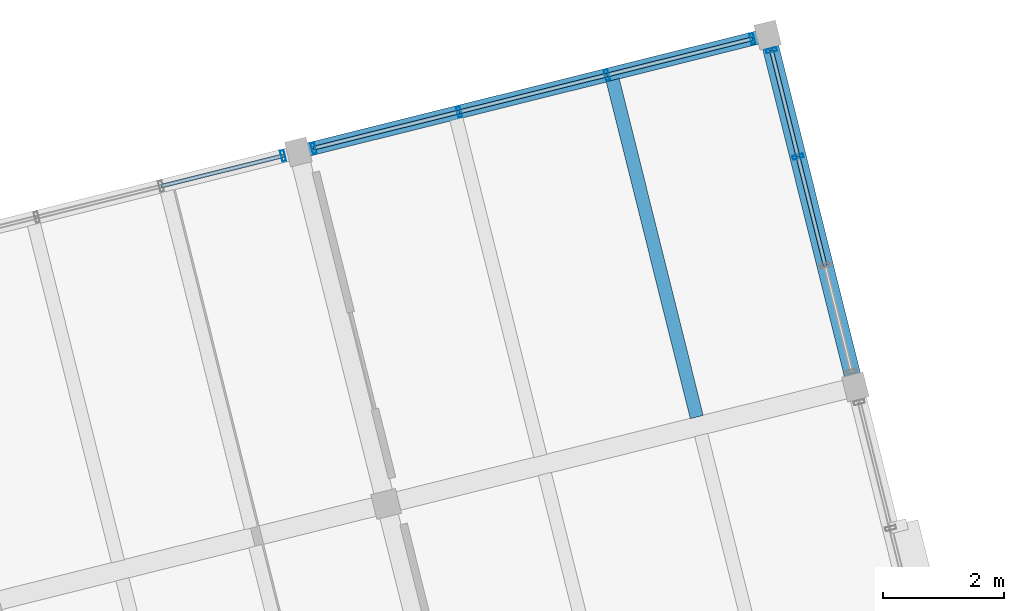
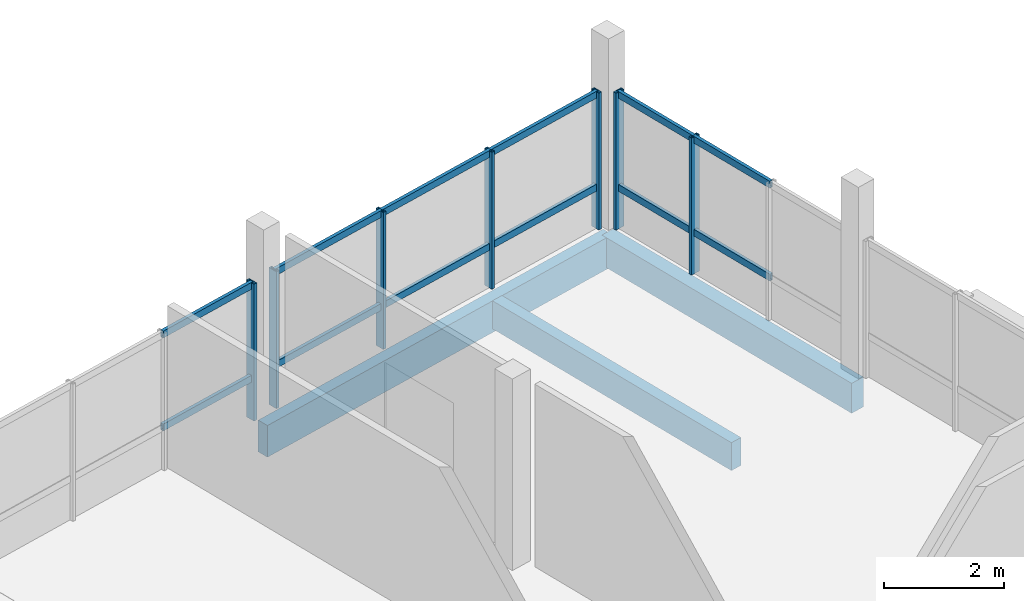
# One storey, part 22 of 28: 19 members, 3 beams, 3 elements without a shape of their own.
"""IFC4 building model written with IfcOpenShell, lengths in metres."""

from ifc_helpers import new_model, si_unit, direction, frame, origin, origin_2d, place, context, subcontext, project, spatial, rectangle, hollow_rectangle, extrude, material, layer, layer_set, material_profile, profile_set, type_object, element, aggregate, save


model = new_model("IFC4")

# Units and contexts
model_context = context("Model", 3, precision=1e-05, world=origin(), true_north=direction((0.0, 1.0)))
body_context = subcontext(model_context, "Body", "Model", "MODEL_VIEW")
ifc_project = project(units=[si_unit("LENGTHUNIT", "METRE"), si_unit("AREAUNIT", "SQUARE_METRE"), si_unit("VOLUMEUNIT", "CUBIC_METRE"), si_unit("PLANEANGLEUNIT", "RADIAN"), si_unit("MASSUNIT", "GRAM", prefix="KILO")], contexts=[model_context])

# Site, building, storey
site_placement = place(None, origin())
site = spatial("IfcSite", under=ifc_project, at=site_placement, CompositionType="ELEMENT")
building_placement = place(site_placement, origin())
building = spatial("IfcBuilding", under=site, at=building_placement, Name="Meriwether Solvik Hall", CompositionType="ELEMENT")
storey_placement = place(building_placement, frame((0.0, 0.0, 30.0)))
storey = spatial("IfcBuildingStorey", under=building, at=storey_placement, Name="L07", CompositionType="ELEMENT", Elevation=30.0)

# Beams
ifc_material_1 = material(Name="Glulam Douglas-Fir 24F-V8 GL28h", Category="wood")
ifc_material_profile_1 = material_profile(ifc_material_1, rectangle(XDim=0.221923828125, YDim=0.64501953125, at=origin_2d()), Name="GLB-222X645")
ifc_profile_set_1 = profile_set([ifc_material_profile_1], Name="Glulam Douglas-Fir 24F-V8 GL28h")
beam_type_1 = type_object("IfcBeamType", Name="BM-GL-222X645", PredefinedType="SPANDREL", material=ifc_profile_set_1)
beam_1_placement = place(storey_placement, frame((95.305419921875, 82.899169921875, -0.54248046875), z_axis=(0.970289525963, 0.24194676234, 0.0), x_axis=(-0.24194676234, 0.970289525963, 0.0)))
element("IfcBeam", 1, at=beam_1_placement, inside=storey, type_object=beam_type_1, Name="Tower Girder TF:T6-T7 (L07)", PredefinedType="SPANDREL", context=body_context, shape_type="SweptSolid", body=[
    extrude(rectangle(XDim=0.221923828125, YDim=0.64501953125, at=origin_2d()), origin(), (0.0, 0.0, 1.0), 8.0),
])
ifc_material_2 = material(Name="Glulam Douglas-Fir 24F-V8 GL28h", Category="wood")
ifc_material_profile_2 = material_profile(ifc_material_2, rectangle(XDim=0.27294921875, YDim=0.610107421875, at=origin_2d()), Name="GLB-273X610")
ifc_profile_set_2 = profile_set([ifc_material_profile_2], Name="Glulam Douglas-Fir 24F-V8 GL28h")
beam_type_2 = type_object("IfcBeamType", Name="BM-GL-273X610", PredefinedType="SPANDREL", material=ifc_profile_set_2)
beam_2_placement = place(storey_placement, frame((104.519287109375, 79.012939453125, -0.52490234375), z_axis=(-0.241941986192, 0.970290716908, 0.0), x_axis=(-0.970290716908, -0.241941986192, 0.0)))
element("IfcBeam", 2, at=beam_2_placement, inside=storey, type_object=beam_type_2, Name="Tower Girder T7:TE-TF (L07)", PredefinedType="SPANDREL", context=body_context, shape_type="SweptSolid", body=[
    extrude(rectangle(XDim=0.27294921875, YDim=0.610107421875, at=origin_2d()), origin(), (0.0, 0.0, 1.0), 6.0),
])

# Curtain wall, members
ifc_material_3 = material(Name="Thermally Broken Anodised Aluminium 6063-T6 and Low-E Glass", Category="aluminium")
ifc_layer_1 = layer(ifc_material_3, 0.179931640625)
ifc_layer_set_1 = layer_set([ifc_layer_1], Name="Thermally Broken Anodised Aluminium 6063-T6 and Low-E Glass")
curtain_wall_type_1 = type_object("IfcCurtainWallType", Name="CW-UNIT-C", PredefinedType="USERDEFINED", material=ifc_layer_set_1)
curtain_wall_1_placement = place(storey_placement, origin())
curtain_wall_1 = element("IfcCurtainWall", 3, at=curtain_wall_1_placement, inside=storey, type_object=curtain_wall_type_1, Name="Curtain Wall E3_B2 (L07)", ObjectType="UNITISED CURTAIN WALL", PredefinedType="USERDEFINED")
ifc_material_4 = material(Name="Anodised Aluminium 6063-T6", Category="aluminium")
ifc_material_profile_3 = material_profile(ifc_material_4, hollow_rectangle(XDim=0.06494140625, YDim=0.179931640625, WallThickness=0.00439453125, at=origin_2d()), Name="CWM-65X180")
ifc_profile_set_3 = profile_set([ifc_material_profile_3], Name="Anodised Aluminium 6063-T6")
member_type_1 = type_object("IfcMemberType", Name="CW-MUL-65X180", PredefinedType="MULLION", material=ifc_profile_set_3)
member_1_placement = place(storey_placement, frame((103.130615234375, 84.582275390625, 0.0), z_axis=(0.0, 0.0, 1.0), x_axis=(0.241921889131, -0.970295727889, 0.0)))
member_1 = element("IfcMember", 4, at=member_1_placement, type_object=member_type_1, Name="Curtain Wall Mullion 1", PredefinedType="MULLION", context=body_context, shape_type="SweptSolid", body=[
    extrude(hollow_rectangle(XDim=0.06494140625, YDim=0.179931640625, WallThickness=0.00439453125, at=origin_2d()), origin(), (0.0, 0.0, 1.0), 2.7900390625),
])
member_2_placement = place(storey_placement, frame((103.5693359375, 82.822265625, 0.0), z_axis=(0.0, 0.0, 1.0), x_axis=(0.241921889131, -0.970295727889, 0.0)))
member_2 = element("IfcMember", 5, at=member_2_placement, type_object=member_type_1, Name="Curtain Wall Mullion 2", PredefinedType="MULLION", context=body_context, shape_type="SweptSolid", body=[
    extrude(hollow_rectangle(XDim=0.06494140625, YDim=0.179931640625, WallThickness=0.00439453125, at=origin_2d()), origin(), (0.0, 0.0, 1.0), 2.7900390625),
])

# Curtain wall, member
ifc_material_5 = material(Name="Thermally Broken Anodised Aluminium 6063-T6 and Low-E Glass", Category="aluminium")
ifc_layer_2 = layer(ifc_material_5, 0.179931640625)
ifc_layer_set_2 = layer_set([ifc_layer_2], Name="Thermally Broken Anodised Aluminium 6063-T6 and Low-E Glass")
curtain_wall_type_2 = type_object("IfcCurtainWallType", Name="CW-UNIT-F", PredefinedType="USERDEFINED", material=ifc_layer_set_2)
curtain_wall_2_placement = place(storey_placement, origin())
curtain_wall_2 = element("IfcCurtainWall", 6, at=curtain_wall_2_placement, inside=storey, type_object=curtain_wall_type_2, Name="Curtain Wall E4_B4 (L07)", ObjectType="UNITISED CURTAIN WALL", PredefinedType="USERDEFINED")
member_3_placement = place(storey_placement, frame((95.052978515625, 82.83642578125, 0.0), z_axis=(0.0, 0.0, 1.0), x_axis=(0.970295750618, 0.24192179797, 0.0)))
member_3 = element("IfcMember", 7, at=member_3_placement, type_object=member_type_1, Name="Curtain Wall Mullion 4", PredefinedType="MULLION", context=body_context, shape_type="SweptSolid", body=[
    extrude(hollow_rectangle(XDim=0.06494140625, YDim=0.179931640625, WallThickness=0.00439453125, at=origin_2d()), origin(), (0.0, 0.0, 1.0), 2.7900390625),
])

# Curtain wall, members
ifc_material_6 = material(Name="Thermally Broken Anodised Aluminium 6063-T6 and Low-E Glass", Category="aluminium")
ifc_layer_3 = layer(ifc_material_6, 0.179931640625)
ifc_layer_set_3 = layer_set([ifc_layer_3], Name="Thermally Broken Anodised Aluminium 6063-T6 and Low-E Glass")
curtain_wall_type_3 = type_object("IfcCurtainWallType", Name="CW-UNIT-G", PredefinedType="USERDEFINED", material=ifc_layer_set_3)
curtain_wall_3_placement = place(storey_placement, origin())
curtain_wall_3 = element("IfcCurtainWall", 8, at=curtain_wall_3_placement, inside=storey, type_object=curtain_wall_type_3, Name="Curtain Wall E4_B5 (L07)", ObjectType="UNITISED CURTAIN WALL", PredefinedType="USERDEFINED")
member_4_placement = place(storey_placement, frame((95.5576171875, 82.962158203125, 0.0), z_axis=(0.0, 0.0, 1.0), x_axis=(0.970295756284, 0.241921775244, 0.0)))
member_4 = element("IfcMember", 9, at=member_4_placement, type_object=member_type_1, Name="Curtain Wall Mullion 1", PredefinedType="MULLION", context=body_context, shape_type="SweptSolid", body=[
    extrude(hollow_rectangle(XDim=0.06494140625, YDim=0.179931640625, WallThickness=0.00439453125, at=origin_2d()), origin(), (0.0, 0.0, 1.0), 2.7900390625),
])
member_5_placement = place(storey_placement, frame((97.964599609375, 83.562255859375, 0.0), z_axis=(0.0, 0.0, 1.0), x_axis=(0.970295756284, 0.241921775244, 0.0)))
member_5 = element("IfcMember", 10, at=member_5_placement, type_object=member_type_1, Name="Curtain Wall Mullion 2", PredefinedType="MULLION", context=body_context, shape_type="SweptSolid", body=[
    extrude(hollow_rectangle(XDim=0.06494140625, YDim=0.179931640625, WallThickness=0.00439453125, at=origin_2d()), origin(), (0.0, 0.0, 1.0), 2.7900390625),
])
member_6_placement = place(storey_placement, frame((100.408447265625, 84.171630859375, 0.0), z_axis=(0.0, 0.0, 1.0), x_axis=(0.970295756284, 0.241921775244, 0.0)))
member_6 = element("IfcMember", 11, at=member_6_placement, type_object=member_type_1, Name="Curtain Wall Mullion 3", PredefinedType="MULLION", context=body_context, shape_type="SweptSolid", body=[
    extrude(hollow_rectangle(XDim=0.06494140625, YDim=0.179931640625, WallThickness=0.00439453125, at=origin_2d()), origin(), (0.0, 0.0, 1.0), 2.7900390625),
])
member_7_placement = place(storey_placement, frame((102.8154296875, 84.771728515625, 0.0), z_axis=(0.0, 0.0, 1.0), x_axis=(0.970295756284, 0.241921775244, 0.0)))
member_7 = element("IfcMember", 12, at=member_7_placement, type_object=member_type_1, Name="Curtain Wall Mullion 4", PredefinedType="MULLION", context=body_context, shape_type="SweptSolid", body=[
    extrude(hollow_rectangle(XDim=0.06494140625, YDim=0.179931640625, WallThickness=0.00439453125, at=origin_2d()), origin(), (0.0, 0.0, 1.0), 2.7900390625),
])

# Member
ifc_material_7 = material(Name="Anodised Aluminium 6063-T6", Category="aluminium")
ifc_material_profile_4 = material_profile(ifc_material_7, hollow_rectangle(XDim=0.06494140625, YDim=0.139892578125, WallThickness=0.00439453125, at=origin_2d()), Name="CWT-65X140")
ifc_profile_set_4 = profile_set([ifc_material_profile_4], Name="Anodised Aluminium 6063-T6")
member_type_2 = type_object("IfcMemberType", Name="CW-TRN-65X140", PredefinedType="USERDEFINED", material=ifc_profile_set_4)
member_8_placement = place(storey_placement, frame((103.130615234375, 84.582275390625, 0.8369140625), z_axis=(0.241870501362, -0.970308538853, 0.0), x_axis=(0.970308538853, 0.241870501362, 0.0)))
member_8 = element("IfcMember", 13, at=member_8_placement, type_object=member_type_2, Name="Curtain Wall Transom 1-sill", ObjectType="TRANSOM", PredefinedType="USERDEFINED", context=body_context, shape_type="SweptSolid", body=[
    extrude(hollow_rectangle(XDim=0.06494140625, YDim=0.139892578125, WallThickness=0.00439453125, at=origin_2d()), origin(), (0.0, 0.0, 1.0), 1.81396484375),
])

member_9_placement = place(storey_placement, frame((103.130615234375, 84.582275390625, 2.72998046875), z_axis=(0.241870501362, -0.970308538853, 0.0), x_axis=(0.970308538853, 0.241870501362, 0.0)))
member_9 = element("IfcMember", 14, at=member_9_placement, type_object=member_type_2, Name="Curtain Wall Transom 1-head", ObjectType="TRANSOM", PredefinedType="USERDEFINED", context=body_context, shape_type="SweptSolid", body=[
    extrude(hollow_rectangle(XDim=0.06494140625, YDim=0.139892578125, WallThickness=0.00439453125, at=origin_2d()), origin(), (0.0, 0.0, 1.0), 1.81396484375),
])

member_10_placement = place(storey_placement, frame((103.5693359375, 82.822265625, 0.8369140625), z_axis=(0.241884239197, -0.970305114295, 0.0), x_axis=(0.970305114295, 0.241884239197, 0.0)))
member_10 = element("IfcMember", 15, at=member_10_placement, type_object=member_type_2, Name="Curtain Wall Transom 2-sill", ObjectType="TRANSOM", PredefinedType="USERDEFINED", context=body_context, shape_type="SweptSolid", body=[
    extrude(hollow_rectangle(XDim=0.06494140625, YDim=0.139892578125, WallThickness=0.00439453125, at=origin_2d()), origin(), (0.0, 0.0, 1.0), 1.85205078125),
])

member_11_placement = place(storey_placement, frame((103.5693359375, 82.822265625, 2.72998046875), z_axis=(0.241884239197, -0.970305114295, 0.0), x_axis=(0.970305114295, 0.241884239197, 0.0)))
member_11 = element("IfcMember", 16, at=member_11_placement, type_object=member_type_2, Name="Curtain Wall Transom 2-head", ObjectType="TRANSOM", PredefinedType="USERDEFINED", context=body_context, shape_type="SweptSolid", body=[
    extrude(hollow_rectangle(XDim=0.06494140625, YDim=0.139892578125, WallThickness=0.00439453125, at=origin_2d()), origin(), (0.0, 0.0, 1.0), 1.85205078125),
])

aggregate(curtain_wall_1, [member_1, member_2, member_8, member_9, member_10, member_11])

member_12_placement = place(storey_placement, frame((93.0341796875, 82.3330078125, 0.8369140625), z_axis=(0.970287276721, 0.241955782392, 0.0), x_axis=(-0.241955782392, 0.970287276721, 0.0)))
member_12 = element("IfcMember", 17, at=member_12_placement, type_object=member_type_2, Name="Curtain Wall Transom 3-sill", ObjectType="TRANSOM", PredefinedType="USERDEFINED", context=body_context, shape_type="SweptSolid", body=[
    extrude(hollow_rectangle(XDim=0.06494140625, YDim=0.139892578125, WallThickness=0.00439453125, at=origin_2d()), origin(), (0.0, 0.0, 1.0), 2.08056640625),
])

member_13_placement = place(storey_placement, frame((93.0341796875, 82.3330078125, 2.72998046875), z_axis=(0.970287276721, 0.241955782392, 0.0), x_axis=(-0.241955782392, 0.970287276721, 0.0)))
member_13 = element("IfcMember", 18, at=member_13_placement, type_object=member_type_2, Name="Curtain Wall Transom 3-head", ObjectType="TRANSOM", PredefinedType="USERDEFINED", context=body_context, shape_type="SweptSolid", body=[
    extrude(hollow_rectangle(XDim=0.06494140625, YDim=0.139892578125, WallThickness=0.00439453125, at=origin_2d()), origin(), (0.0, 0.0, 1.0), 2.08056640625),
])

aggregate(curtain_wall_2, [member_3, member_12, member_13])

member_14_placement = place(storey_placement, frame((95.5576171875, 82.962158203125, 0.8369140625), z_axis=(0.97029860889, 0.241910333771, 0.0), x_axis=(-0.241910333771, 0.97029860889, 0.0)))
member_14 = element("IfcMember", 19, at=member_14_placement, type_object=member_type_2, Name="Curtain Wall Transom 1-sill", ObjectType="TRANSOM", PredefinedType="USERDEFINED", context=body_context, shape_type="SweptSolid", body=[
    extrude(hollow_rectangle(XDim=0.06494140625, YDim=0.139892578125, WallThickness=0.00439453125, at=origin_2d()), origin(), (0.0, 0.0, 1.0), 2.480712890625),
])

member_15_placement = place(storey_placement, frame((95.5576171875, 82.962158203125, 2.72998046875), z_axis=(0.97029860889, 0.241910333771, 0.0), x_axis=(-0.241910333771, 0.97029860889, 0.0)))
member_15 = element("IfcMember", 20, at=member_15_placement, type_object=member_type_2, Name="Curtain Wall Transom 1-head", ObjectType="TRANSOM", PredefinedType="USERDEFINED", context=body_context, shape_type="SweptSolid", body=[
    extrude(hollow_rectangle(XDim=0.06494140625, YDim=0.139892578125, WallThickness=0.00439453125, at=origin_2d()), origin(), (0.0, 0.0, 1.0), 2.480712890625),
])

member_16_placement = place(storey_placement, frame((97.964599609375, 83.562255859375, 0.8369140625), z_axis=(0.970290568044, 0.2419425832, 0.0), x_axis=(-0.2419425832, 0.970290568044, 0.0)))
member_16 = element("IfcMember", 21, at=member_16_placement, type_object=member_type_2, Name="Curtain Wall Transom 2-sill", ObjectType="TRANSOM", PredefinedType="USERDEFINED", context=body_context, shape_type="SweptSolid", body=[
    extrude(hollow_rectangle(XDim=0.06494140625, YDim=0.139892578125, WallThickness=0.00439453125, at=origin_2d()), origin(), (0.0, 0.0, 1.0), 2.5185546875),
])

member_17_placement = place(storey_placement, frame((97.964599609375, 83.562255859375, 2.72998046875), z_axis=(0.970290568044, 0.2419425832, 0.0), x_axis=(-0.2419425832, 0.970290568044, 0.0)))
member_17 = element("IfcMember", 22, at=member_17_placement, type_object=member_type_2, Name="Curtain Wall Transom 2-head", ObjectType="TRANSOM", PredefinedType="USERDEFINED", context=body_context, shape_type="SweptSolid", body=[
    extrude(hollow_rectangle(XDim=0.06494140625, YDim=0.139892578125, WallThickness=0.00439453125, at=origin_2d()), origin(), (0.0, 0.0, 1.0), 2.5185546875),
])

member_18_placement = place(storey_placement, frame((100.408447265625, 84.171630859375, 0.8369140625), z_axis=(0.97029860889, 0.241910333771, 0.0), x_axis=(-0.241910333771, 0.97029860889, 0.0)))
member_18 = element("IfcMember", 23, at=member_18_placement, type_object=member_type_2, Name="Curtain Wall Transom 3-sill", ObjectType="TRANSOM", PredefinedType="USERDEFINED", context=body_context, shape_type="SweptSolid", body=[
    extrude(hollow_rectangle(XDim=0.06494140625, YDim=0.139892578125, WallThickness=0.00439453125, at=origin_2d()), origin(), (0.0, 0.0, 1.0), 2.480712890625),
])

member_19_placement = place(storey_placement, frame((100.408447265625, 84.171630859375, 2.72998046875), z_axis=(0.97029860889, 0.241910333771, 0.0), x_axis=(-0.241910333771, 0.97029860889, 0.0)))
member_19 = element("IfcMember", 24, at=member_19_placement, type_object=member_type_2, Name="Curtain Wall Transom 3-head", ObjectType="TRANSOM", PredefinedType="USERDEFINED", context=body_context, shape_type="SweptSolid", body=[
    extrude(hollow_rectangle(XDim=0.06494140625, YDim=0.139892578125, WallThickness=0.00439453125, at=origin_2d()), origin(), (0.0, 0.0, 1.0), 2.480712890625),
])

aggregate(curtain_wall_3, [member_4, member_5, member_6, member_7, member_14, member_15, member_16, member_17, member_18, member_19])

# Beam
ifc_material_8 = material(Name="Glulam Douglas-Fir 24F-V8 GL28h", Category="wood")
ifc_material_profile_5 = material_profile(ifc_material_8, rectangle(XDim=0.221923828125, YDim=0.570068359375, at=origin_2d()), Name="GLJ-222X570")
ifc_profile_set_5 = profile_set([ifc_material_profile_5], Name="Glulam Douglas-Fir 24F-V8 GL28h")
beam_type_3 = type_object("IfcBeamType", Name="JST-GL-222X570", PredefinedType="JOIST", material=ifc_profile_set_5)
beam_3_placement = place(storey_placement, frame((101.894775390625, 78.515625, -0.5048828125), z_axis=(-0.241905253991, 0.970299875343, 0.0), x_axis=(-0.970299875343, -0.241905253991, 0.0)))
element("IfcBeam", 25, at=beam_3_placement, inside=storey, type_object=beam_type_3, Name="Glulam Floor Joist T6/TE-J2 (L07)", PredefinedType="JOIST", context=body_context, shape_type="SweptSolid", body=[
    extrude(rectangle(XDim=0.221923828125, YDim=0.570068359375, at=origin_2d()), origin(), (0.0, 0.0, 1.0), 5.741455078125),
])

save(model, "model.ifc")
